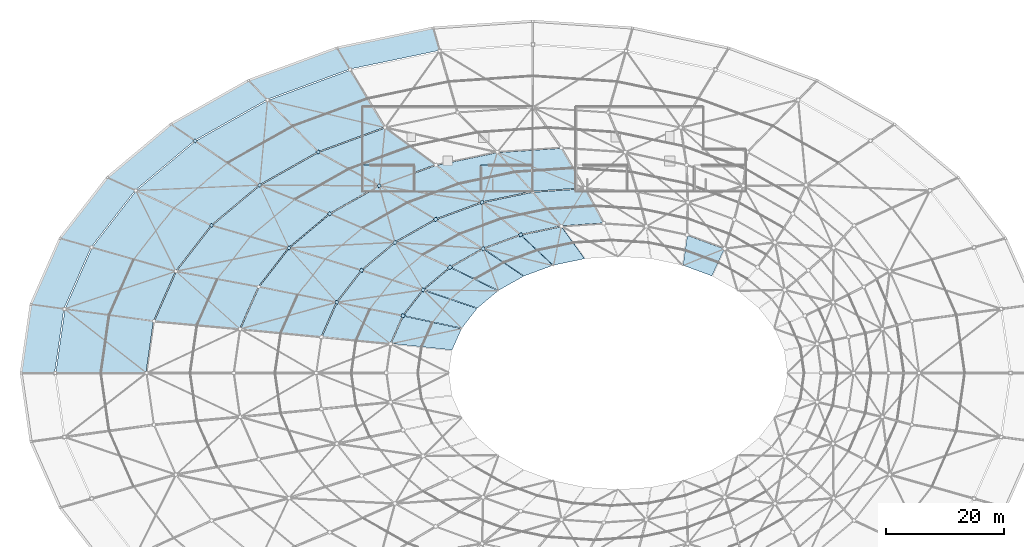
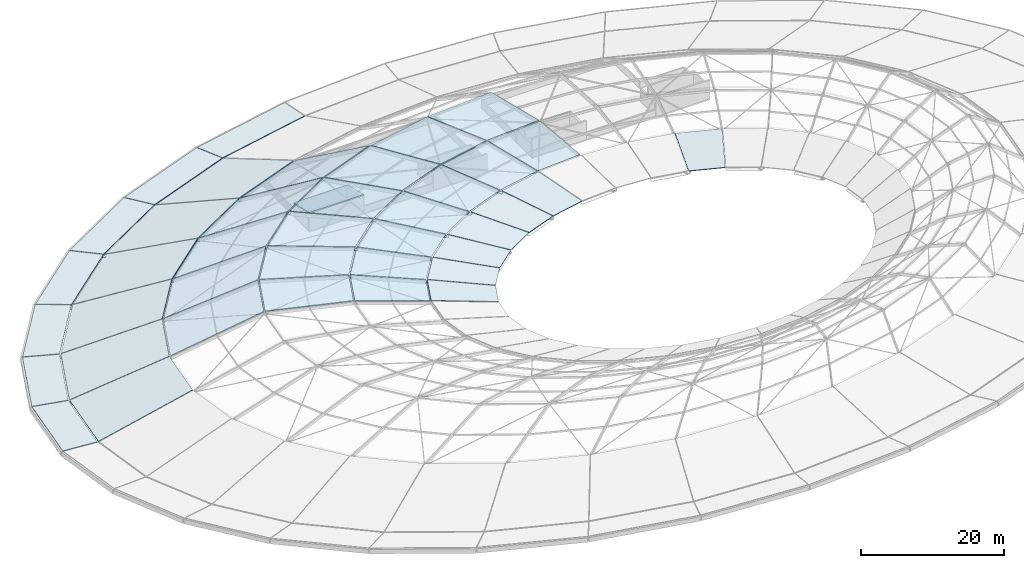
# One storey, part 14 of 30: 41 slabs, 17 plates.
"""IFC4 building model written with IfcOpenShell, lengths in metres."""

from ifc_helpers import new_model, si_unit, direction, frame, origin, origin_2d, place, context, subcontext, project, spatial, polyline, rectangle, outline, extrude, material, layer, layer_set, type_object, element, save


model = new_model("IFC4")

# Units and contexts
model_context = context("Model", 3, precision=1e-05, world=origin(), true_north=direction((0.0, 1.0)))
body_context = subcontext(model_context, "Body", "Model", "MODEL_VIEW")
ifc_project = project(units=[si_unit("LENGTHUNIT", "METRE"), si_unit("AREAUNIT", "SQUARE_METRE"), si_unit("VOLUMEUNIT", "CUBIC_METRE"), si_unit("PLANEANGLEUNIT", "RADIAN"), si_unit("MASSUNIT", "GRAM", prefix="KILO")], contexts=[model_context])

# Site, building, storey
site_placement = place(None, origin())
site = spatial("IfcSite", under=ifc_project, at=site_placement, CompositionType="ELEMENT")
building_placement = place(site_placement, origin())
building = spatial("IfcBuilding", under=site, at=building_placement, Name="Namkhue Oval Health Centre", CompositionType="ELEMENT")
storey_placement = place(building_placement, frame((0.0, 0.0, 26.39990234375)))
storey = spatial("IfcBuildingStorey", under=building, at=storey_placement, Name="RF", CompositionType="ELEMENT", Elevation=26.39990234375)

# Plates
ifc_material_1 = material(Name="Structural steel EN 10025-2 S355JR (TCVN 5575:2024)", Category="steel")
ifc_layer_1 = layer(ifc_material_1, 0.02001953125)
ifc_layer_set_1 = layer_set([ifc_layer_1], Name="Structural steel EN 10025-2 S355JR (TCVN 5575:2024)")
plate_type_1 = type_object("IfcPlateType", Name="GRIDSHELL GUSSET PLATE 500X500X20", PredefinedType="USERDEFINED", material=ifc_layer_set_1)
plate_placement = place(storey_placement, frame((29.37890625, 98.60205078125, 0.31005859375), z_axis=(0.0, 0.0, 1.0), x_axis=(-0.707106781187, 0.707106781187, 0.0)))
element("IfcPlate", 1, at=plate_placement, inside=storey, type_object=plate_type_1, Name="Gridshell Node Gusset Plate K1-13", ObjectType="GUSSET_PLATE", PredefinedType="USERDEFINED", context=body_context, shape_type="SweptSolid", body=[
    extrude(rectangle(XDim=0.5, YDim=0.5, at=origin_2d()), origin(), (0.0, 0.0, 1.0), 0.02001953125),
])
ifc_layer_2 = layer(ifc_material_1, 0.02197265625)
ifc_layer_set_2 = layer_set([ifc_layer_2], Name="Structural steel EN 10025-2 S355JR (TCVN 5575:2024)")
plate_type_2 = type_object("IfcPlateType", Name="GRIDSHELL GUSSET PLATE 520X520X22", PredefinedType="USERDEFINED", material=ifc_layer_set_2)
for number, where, z_axis, x_axis, name in (
    (2, (50.158935546875, 96.68896484375, 3.80908203125), (0.0, 0.0, 1.0), (-0.55557023302, 0.831469612303, 0.0), "Gridshell Node Gusset Plate K2-12"),
    (3, (40.27392578125, 91.111572265625, 3.80908203125), (0.0, 0.0, 1.0), (-0.707106781187, 0.707106781187, 0.0), "Gridshell Node Gusset Plate K2-13"),
    (4, (32.16162109375, 84.315673828125, 3.80908203125), (0.0, 0.0, 1.0), (-0.831469612303, 0.55557023302, 0.0), "Gridshell Node Gusset Plate K2-14"),
):
    element("IfcPlate", number, at=place(storey_placement, frame(where, z_axis=z_axis, x_axis=x_axis)), inside=storey, type_object=plate_type_2, Name=name, ObjectType="GUSSET_PLATE", PredefinedType="USERDEFINED", context=body_context, shape_type="SweptSolid", body=[
        extrude(rectangle(XDim=0.52001953125, YDim=0.52001953125, at=origin_2d()), origin(), (0.0, 0.0, 1.0), 0.02197265625),
    ])
ifc_layer_3 = layer(ifc_material_1, 0.02197265625)
ifc_layer_set_3 = layer_set([ifc_layer_3], Name="Structural steel EN 10025-2 S355JR (TCVN 5575:2024)")
plate_type_3 = type_object("IfcPlateType", Name="GRIDSHELL GUSSET PLATE 540X540X22", PredefinedType="USERDEFINED", material=ifc_layer_set_3)
for number, where, z_axis, x_axis, name in (
    (5, (60.479248046875, 91.009033203125, 7.209228515625), (0.0, 0.0, 1.0), (-0.55557023302, 0.831469612303, 0.0), "Gridshell Node Gusset Plate K3-12"),
    (6, (52.099853515625, 86.28125, 7.209228515625), (0.0, 0.0, 1.0), (-0.707106781187, 0.707106781187, 0.0), "Gridshell Node Gusset Plate K3-13"),
    (7, (45.22314453125, 80.5205078125, 7.209228515625), (0.0, 0.0, 1.0), (-0.831469612303, 0.55557023302, 0.0), "Gridshell Node Gusset Plate K3-14"),
):
    element("IfcPlate", number, at=place(storey_placement, frame(where, z_axis=z_axis, x_axis=x_axis)), inside=storey, type_object=plate_type_3, Name=name, ObjectType="GUSSET_PLATE", PredefinedType="USERDEFINED", context=body_context, shape_type="SweptSolid", body=[
        extrude(rectangle(XDim=0.5400390625, YDim=0.5400390625, at=origin_2d()), origin(), (0.0, 0.0, 1.0), 0.02197265625),
    ])
ifc_layer_4 = layer(ifc_material_1, 0.02392578125)
ifc_layer_set_4 = layer_set([ifc_layer_4], Name="Structural steel EN 10025-2 S355JR (TCVN 5575:2024)")
plate_type_4 = type_object("IfcPlateType", Name="GRIDSHELL GUSSET PLATE 560X560X24", PredefinedType="USERDEFINED", material=ifc_layer_set_4)
for number, where, z_axis, x_axis, name in (
    (8, (77.841552734375, 88.211181640625, 5.008056640625), (0.0, 0.0, 1.0), (-0.382683432365, 0.923879532511, 0.0), "Gridshell Node Gusset Plate K4-11"),
    (9, (69.999267578125, 85.329345703125, 5.008056640625), (0.0, 0.0, 1.0), (-0.55557023302, 0.831469612303, 0.0), "Gridshell Node Gusset Plate K4-12"),
    (10, (63.125732421875, 81.451171875, 5.008056640625), (0.0, 0.0, 1.0), (-0.707106781187, 0.707106781187, 0.0), "Gridshell Node Gusset Plate K4-13"),
    (11, (57.484619140625, 76.725341796875, 5.008056640625), (0.0, 0.0, 1.0), (-0.831469612303, 0.55557023302, 0.0), "Gridshell Node Gusset Plate K4-14"),
    (12, (53.292724609375, 71.333984375, 5.008056640625), (0.0, 0.0, 1.0), (-0.923879532511, 0.382683432365, 0.0), "Gridshell Node Gusset Plate K4-15"),
):
    element("IfcPlate", number, at=place(storey_placement, frame(where, z_axis=z_axis, x_axis=x_axis)), inside=storey, type_object=plate_type_4, Name=name, ObjectType="GUSSET_PLATE", PredefinedType="USERDEFINED", context=body_context, shape_type="SweptSolid", body=[
        extrude(rectangle(XDim=0.56005859375, YDim=0.56005859375, at=origin_2d()), origin(), (0.0, 0.0, 1.0), 0.02392578125),
    ])
ifc_layer_5 = layer(ifc_material_1, 0.02392578125)
ifc_layer_set_5 = layer_set([ifc_layer_5], Name="Structural steel EN 10025-2 S355JR (TCVN 5575:2024)")
plate_type_5 = type_object("IfcPlateType", Name="GRIDSHELL GUSSET PLATE 580X580X24", PredefinedType="USERDEFINED", material=ifc_layer_set_5)
for number, where, z_axis, x_axis, name in (
    (13, (84.347900390625, 82.723388671875, 1.608154296875), (0.0, 0.0, 1.0), (-0.382683432365, 0.923879532511, 0.0), "Gridshell Node Gusset Plate K5-11"),
    (14, (77.99951171875, 80.390380859375, 1.608154296875), (0.0, 0.0, 1.0), (-0.55557023302, 0.831469612303, 0.0), "Gridshell Node Gusset Plate K5-12"),
    (15, (72.43505859375, 77.2509765625, 1.608154296875), (0.0, 0.0, 1.0), (-0.707106781187, 0.707106781187, 0.0), "Gridshell Node Gusset Plate K5-13"),
    (16, (67.868408203125, 73.42529296875, 1.608154296875), (0.0, 0.0, 1.0), (-0.831469612303, 0.55557023302, 0.0), "Gridshell Node Gusset Plate K5-14"),
    (17, (64.47509765625, 69.060791015625, 1.608154296875), (0.0, 0.0, 1.0), (-0.923879532511, 0.382683432365, 0.0), "Gridshell Node Gusset Plate K5-15"),
):
    element("IfcPlate", number, at=place(storey_placement, frame(where, z_axis=z_axis, x_axis=x_axis)), inside=storey, type_object=plate_type_5, Name=name, ObjectType="GUSSET_PLATE", PredefinedType="USERDEFINED", context=body_context, shape_type="SweptSolid", body=[
        extrude(rectangle(XDim=0.580078125, YDim=0.580078125, at=origin_2d()), origin(), (0.0, 0.0, 1.0), 0.02392578125),
    ])

# Slabs
ifc_material_2 = material(Name="Reinforced concrete C30/37 (TCVN B35)", Category="concrete")
ifc_layer_6 = layer(ifc_material_2, 0.159912109375)
ifc_layer_set_6 = layer_set([ifc_layer_6], Name="Reinforced concrete C30/37 (TCVN B35)")
slab_type_1 = type_object("IfcSlabType", Name="GRIDSHELL ROOF PANEL 160", PredefinedType="ROOF", material=ifc_layer_set_6)
slab_1_placement = place(storey_placement, frame((69.52783203125, 117.563720703125, 1.09326171875), z_axis=(0.020162594612, -0.096678667987, 0.995111403278), x_axis=(-0.978938643116, -0.204154679137, 5.43225e-07)))
element("IfcSlab", 18, at=slab_1_placement, inside=storey, type_object=slab_type_1, Name="Gridshell Planar Roof Panel K0-10", PredefinedType="ROOF", context=body_context, shape_type="SweptSolid", body=[
    extrude(outline(polyline([(0.0, 0.0), (16.44548514449708, 0.0), (15.097387117249104, 3.8713768096491217), (-0.29370035746893247, 3.871201691914163), (0.0, 0.0)])), origin(), (0.0, 0.0, -1.0), 0.159912109375),
])
slab_2_placement = place(storey_placement, frame((53.343017578125, 114.185546875, 1.093505859375), z_axis=(0.032737529904, -0.089086259011, 0.995485757101), x_axis=(-0.938630551173, -0.344924177762, 4.43099e-07)))
element("IfcSlab", 19, at=slab_2_placement, inside=storey, type_object=slab_type_1, Name="Gridshell Planar Roof Panel K0-11", PredefinedType="ROOF", context=body_context, shape_type="SweptSolid", body=[
    extrude(outline(polyline([(0.0, 0.0), (15.802557697563413, 0.0), (14.01454935741236, 4.03344721094813), (-0.7726189498460142, 4.033304400568944), (0.0, 0.0)])), origin(), (0.0, 0.0, -1.0), 0.159912109375),
])
slab_3_placement = place(storey_placement, frame((38.425537109375, 108.701416015625, 1.093994140625), z_axis=(0.044082287911, -0.078130329397, 0.995968073545), x_axis=(-0.870939486541, -0.491390283566, 5.22588e-07)))
element("IfcSlab", 20, at=slab_3_placement, inside=storey, type_object=slab_type_1, Name="Gridshell Planar Roof Panel K0-12", PredefinedType="ROOF", context=body_context, shape_type="SweptSolid", body=[
    extrude(outline(polyline([(0.0, 0.0), (14.92248530113261, -8.881784197001252e-16), (12.838955464622689, 4.278259172458241), (-1.1218517171195217, 4.278090915361625), (0.0, 0.0)])), origin(), (0.0, 0.0, -1.0), 0.159912109375),
])
slab_4_placement = place(storey_placement, frame((25.349365234375, 101.321533203125, 1.094482421875), z_axis=(0.05372819728, -0.064135721203, 0.996493798316), x_axis=(-0.766561354027, -0.642171075736, -1.45933e-07)))
element("IfcSlab", 21, at=slab_4_placement, inside=storey, type_object=slab_type_1, Name="Gridshell Planar Roof Panel K0-13", PredefinedType="ROOF", context=body_context, shape_type="SweptSolid", body=[
    extrude(outline(polyline([(0.0, 0.0), (13.90964690520945, -1.7763568394002505e-15), (11.736249092087501, 4.598772252299587), (-1.2739480990193477, 4.598819206378967), (0.0, 0.0)])), origin(), (0.0, 0.0, -1.0), 0.159912109375),
])
slab_5_placement = place(storey_placement, frame((14.618408203125, 92.328369140625, 1.09521484375), z_axis=(0.061391664695, -0.047729981832, 0.996971871389), x_axis=(-0.613788661898, -0.789470378498, 1.01209e-07)))
element("IfcSlab", 22, at=slab_5_placement, inside=storey, type_object=slab_type_1, Name="Gridshell Planar Roof Panel K0-14", PredefinedType="ROOF", context=body_context, shape_type="SweptSolid", body=[
    extrude(outline(polyline([(0.0, 0.0), (12.904530024973466, 8.881784197001252e-16), (10.907092694096388, 4.966776759717428), (-1.1605920699277577, 4.966744258287321), (0.0, 0.0)])), origin(), (0.0, 0.0, -1.0), 0.159912109375),
])
slab_6_placement = place(storey_placement, frame((6.646728515625, 82.06787109375, 1.095458984375), z_axis=(0.066566031879, -0.029370607808, 0.997349653229), x_axis=(-0.403673069151, -0.914903302673, -3.52629e-07)))
element("IfcSlab", 23, at=slab_6_placement, inside=storey, type_object=slab_type_1, Name="Gridshell Planar Roof Panel K0-15", PredefinedType="ROOF", context=body_context, shape_type="SweptSolid", body=[
    extrude(outline(polyline([(0.0, 0.0), (12.080233983210906, 0.0), (10.558141437876515, 5.315114792337824), (-0.7368073735753968, 5.315228083295601), (0.0, 0.0)])), origin(), (0.0, 0.0, -1.0), 0.159912109375),
])
slab_7_placement = place(storey_placement, frame((1.7431640625, 70.9345703125, 1.095703125), z_axis=(0.069239029884, -0.009919525059, 0.997550780544), x_axis=(-0.141815844047, -0.989893058051, -7.7722e-08)))
element("IfcSlab", 24, at=slab_7_placement, inside=storey, type_object=slab_type_1, Name="Gridshell Planar Roof Panel K0-16", PredefinedType="ROOF", context=body_context, shape_type="SweptSolid", body=[
    extrude(outline(polyline([(0.0, 0.0), (11.610017545639138, -2.220446049250313e-16), (10.818881824643192, 5.53578898602103), (-0.035208138363513414, 5.535813947353545), (0.0, 0.0)])), origin(), (0.0, 0.0, -1.0), 0.159912109375),
])
ifc_layer_7 = layer(ifc_material_2, 0.1650390625)
ifc_layer_set_7 = layer_set([ifc_layer_7], Name="Reinforced concrete C30/37 (TCVN B35)")
slab_type_2 = type_object("IfcSlabType", Name="GRIDSHELL ROOF PANEL 165", PredefinedType="ROOF", material=ifc_layer_set_7)
slab_8_placement = place(storey_placement, frame((55.54541015625, 110.5302734375, 0.73388671875), z_axis=(-0.102713755445, 0.279511611509, 0.954632465127), x_axis=(-0.938630095364, -0.344925418136, 4.58192e-07)))
element("IfcSlab", 25, at=slab_8_placement, inside=storey, type_object=slab_type_2, Name="Gridshell Planar Roof Panel K1-11", PredefinedType="ROOF", context=body_context, shape_type="SweptSolid", body=[
    extrude(outline(polyline([(0.0, 0.0), (14.742906242601475, -8.881784197001252e-16), (9.822723864490262, 11.57300097652242), (-2.1258785047471886, 11.573042045665701), (0.0, 0.0)])), origin(), (0.0, 0.0, -1.0), 0.1650390625),
])
slab_9_placement = place(storey_placement, frame((41.623291015625, 105.411376953125, 0.732421875), z_axis=(-0.138902229904, 0.246186978016, 0.959217463552), x_axis=(-0.870933882216, -0.49140021653, 1.747221e-06)))
element("IfcSlab", 26, at=slab_9_placement, inside=storey, type_object=slab_type_2, Name="Gridshell Planar Roof Panel K1-12", PredefinedType="ROOF", context=body_context, shape_type="SweptSolid", body=[
    extrude(outline(polyline([(0.0, 0.0), (13.921561245083678, -8.881784197001252e-16), (8.197918543198739, 12.202266242107779), (-3.0818098753451957, 12.202422015070987), (0.0, 0.0)])), origin(), (0.0, 0.0, -1.0), 0.1650390625),
])
slab_10_placement = place(storey_placement, frame((29.419921875, 98.52294921875, 0.73095703125), z_axis=(-0.170139988706, 0.203104869723, 0.964261788177), x_axis=(-0.766576159273, -0.642153402259, -8.04733e-07)))
element("IfcSlab", 27, at=slab_10_placement, inside=storey, type_object=slab_type_2, Name="Gridshell Planar Roof Panel K1-13", PredefinedType="ROOF", context=body_context, shape_type="SweptSolid", body=[
    extrude(outline(polyline([(0.0, 0.0), (12.975905292085145, 1.7763568394002505e-15), (7.016551791545524, 13.030311296661807), (-3.4937291258459657, 13.03023996240794), (0.0, 0.0)])), origin(), (0.0, 0.0, -1.0), 0.1650390625),
])
slab_11_placement = place(storey_placement, frame((19.4052734375, 90.12939453125, 0.729248046875), z_axis=(-0.195064944908, 0.151653801848, 0.968994732521), x_axis=(-0.613781870865, -0.789475658268, -3.52719e-07)))
element("IfcSlab", 28, at=slab_11_placement, inside=storey, type_object=slab_type_2, Name="Gridshell Planar Roof Panel K1-14", PredefinedType="ROOF", context=body_context, shape_type="SweptSolid", body=[
    extrude(outline(polyline([(0.0, 0.0), (12.037942746398443, -1.7763568394002505e-15), (6.571366158357308, 13.985548906937979), (-3.176290275157395, 13.985517807089472), (0.0, 0.0)])), origin(), (0.0, 0.0, -1.0), 0.1650390625),
])
slab_12_placement = place(storey_placement, frame((11.96630859375, 80.552978515625, 0.72802734375), z_axis=(-0.212455276554, 0.093744007114, 0.972663773662), x_axis=(-0.40369434951, -0.91489391307, -1.206145e-06)))
element("IfcSlab", 29, at=slab_12_placement, inside=storey, type_object=slab_type_2, Name="Gridshell Planar Roof Panel K1-15", PredefinedType="ROOF", context=body_context, shape_type="SweptSolid", body=[
    extrude(outline(polyline([(0.0, 0.0), (11.26859789441724, 0.0), (7.108980996924874, 14.892303975045468), (-2.0135504679712137, 14.892198063103379), (0.0, 0.0)])), origin(), (0.0, 0.0, -1.0), 0.1650390625),
])
slab_13_placement = place(storey_placement, frame((7.390380859375, 70.162353515625, 0.727294921875), z_axis=(-0.221398563448, 0.031715542749, 0.974667533291), x_axis=(-0.141797236863, -0.989895723607, 1.41135e-06)))
element("IfcSlab", 30, at=slab_13_placement, inside=storey, type_object=slab_type_2, Name="Gridshell Planar Roof Panel K1-16", PredefinedType="ROOF", context=body_context, shape_type="SweptSolid", body=[
    extrude(outline(polyline([(0.0, 0.0), (10.829886655075333, 0.0), (8.670218534604265, 15.46868090951535), (-0.09611084283821034, 15.468804567254889), (0.0, 0.0)])), origin(), (0.0, 0.0, -1.0), 0.1650390625),
])
ifc_layer_8 = layer(ifc_material_2, 0.169921875)
ifc_layer_set_8 = layer_set([ifc_layer_8], Name="Reinforced concrete C30/37 (TCVN B35)")
slab_type_3 = type_object("IfcSlabType", Name="GRIDSHELL ROOF PANEL 170", PredefinedType="ROOF", material=ifc_layer_set_8)
slab_14_placement = place(storey_placement, frame((61.4716796875, 100.756591796875, 4.244140625), z_axis=(-0.12320577154, 0.335264184745, 0.934033331465), x_axis=(-0.938626054315, -0.344936414664, 7.26571e-07)))
element("IfcSlab", 31, at=slab_14_placement, inside=storey, type_object=slab_type_3, Name="Gridshell Planar Roof Panel K2-11", PredefinedType="ROOF", context=body_context, shape_type="SweptSolid", body=[
    extrude(outline(polyline([(0.0, 0.0), (11.894308419477884, 0.0), (4.312799369403991, 9.338808270164728), (-5.7859916338296715, 9.338853007520287), (0.0, 0.0)])), origin(), (0.0, 0.0, -1.0), 0.169921875),
])
slab_15_placement = place(storey_placement, frame((50.204345703125, 96.61669921875, 4.240966796875), z_axis=(-0.157933031386, 0.279910541406, 0.946946274298), x_axis=(-0.870927065182, -0.491412298504, 3.517631e-06)))
element("IfcSlab", 32, at=slab_15_placement, inside=storey, type_object=slab_type_3, Name="Gridshell Planar Roof Panel K2-12", PredefinedType="ROOF", context=body_context, shape_type="SweptSolid", body=[
    extrude(outline(polyline([(0.0, 0.0), (11.233939704820223, -8.881784197001252e-16), (3.4430982146087024, 10.399369248415969), (-6.091669025550712, 10.399596561665188), (0.0, 0.0)])), origin(), (0.0, 0.0, -1.0), 0.169921875),
])
slab_16_placement = place(storey_placement, frame((40.328125, 91.04443359375, 4.238037109375), z_axis=(-0.185072944318, 0.220926693104, 0.957569528314), x_axis=(-0.766569639392, -0.642161185343, -7.86438e-07)))
element("IfcSlab", 33, at=slab_16_placement, inside=storey, type_object=slab_type_3, Name="Gridshell Planar Roof Panel K2-13", PredefinedType="ROOF", context=body_context, shape_type="SweptSolid", body=[
    extrude(outline(polyline([(0.0, 0.0), (10.473363995422202, 0.0), (3.013648255163925, 11.617347404433431), (-5.872753508638597, 11.617294576059944), (0.0, 0.0)])), origin(), (0.0, 0.0, -1.0), 0.169921875),
])
slab_17_placement = place(storey_placement, frame((32.223876953125, 84.254150390625, 4.235595703125), z_axis=(-0.205038848243, 0.159413865656, 0.965684363624), x_axis=(-0.61379940396, -0.78946202676, -1.583711e-06)))
element("IfcSlab", 34, at=slab_17_placement, inside=storey, type_object=slab_type_3, Name="Gridshell Planar Roof Panel K2-14", PredefinedType="ROOF", context=body_context, shape_type="SweptSolid", body=[
    extrude(outline(polyline([(0.0, 0.0), (9.71909204413393, 8.881784197001252e-16), (3.2915992982035744, 12.910255884952448), (-4.951975383048748, 12.910146352214433), (0.0, 0.0)])), origin(), (0.0, 0.0, -1.0), 0.169921875),
])
slab_18_placement = place(storey_placement, frame((26.204345703125, 76.50634765625, 4.233642578125), z_axis=(-0.218181281084, 0.096268158125, 0.971148480056), x_axis=(-0.403682414671, -0.914899179191, -2.96076e-07)))
element("IfcSlab", 35, at=slab_18_placement, inside=storey, type_object=slab_type_3, Name="Gridshell Planar Roof Panel K2-15", PredefinedType="ROOF", context=body_context, shape_type="SweptSolid", body=[
    extrude(outline(polyline([(0.0, 0.0), (9.099577056047469, 0.0), (4.505770796915734, 14.076636770521), (-3.2107144309817865, 14.076615892799088), (0.0, 0.0)])), origin(), (0.0, 0.0, -1.0), 0.169921875),
])
ifc_layer_9 = layer(ifc_material_2, 0.175048828125)
ifc_layer_set_9 = layer_set([ifc_layer_9], Name="Reinforced concrete C30/37 (TCVN B35)")
slab_type_4 = type_object("IfcSlabType", Name="GRIDSHELL ROOF PANEL 175", PredefinedType="ROOF", material=ifc_layer_set_9)
slab_19_placement = place(storey_placement, frame((91.2021484375, 97.330078125, 7.59033203125), z_axis=(0.020032232495, -0.295824655907, 0.95503218931), x_axis=(-0.997715556857, -0.067554922842, 2.155105e-06)))
element("IfcSlab", 36, at=slab_19_placement, inside=storey, type_object=slab_type_4, Name="Gridshell Planar Roof Panel K3-9", PredefinedType="ROOF", context=body_context, shape_type="SweptSolid", body=[
    extrude(outline(polyline([(0.0, 0.0), (10.690192137254291, 0.0), (5.3506213840365, 7.239394380992895), (-3.4436481667676104, 7.239252759578612), (0.0, 0.0)])), origin(), (0.0, 0.0, -1.0), 0.175048828125),
])
slab_20_placement = place(storey_placement, frame((80.431640625, 96.60107421875, 7.592529296875), z_axis=(0.055610028677, -0.266652874974, 0.962186971944), x_axis=(-0.978940117698, -0.204147608253, 2.433371e-06)))
element("IfcSlab", 37, at=slab_20_placement, inside=storey, type_object=slab_type_4, Name="Gridshell Planar Roof Panel K3-10", PredefinedType="ROOF", context=body_context, shape_type="SweptSolid", body=[
    extrude(outline(polyline([(0.0, 0.0), (10.473748260753048, -4.440892098500626e-16), (4.265653118030262, 7.896363528223124), (-4.346415050667718, 7.896193026740707), (0.0, 0.0)])), origin(), (0.0, 0.0, -1.0), 0.175048828125),
])
slab_21_placement = place(storey_placement, frame((70.072509765625, 94.441650390625, 7.5947265625), z_axis=(0.085339065479, -0.23222332359, 0.968911539762), x_axis=(-0.938623822957, -0.344942486469, -2.48812e-06)))
element("IfcSlab", 38, at=slab_21_placement, inside=storey, type_object=slab_type_4, Name="Gridshell Planar Roof Panel K3-11", PredefinedType="ROOF", context=body_context, shape_type="SweptSolid", body=[
    extrude(outline(polyline([(0.0, 0.0), (10.064500088644266, -4.440892098500626e-16), (3.2290930825785455, 8.711401874306365), (-5.042433795041556, 8.711586275548926), (0.0, 0.0)])), origin(), (0.0, 0.0, -1.0), 0.175048828125),
])
slab_22_placement = place(storey_placement, frame((60.524169921875, 90.933837890625, 7.59716796875), z_axis=(0.109496423861, -0.194068876245, 0.974857838064), x_axis=(-0.870936223107, -0.491396067627, -2.88036e-07)))
element("IfcSlab", 39, at=slab_22_placement, inside=storey, type_object=slab_type_4, Name="Gridshell Planar Roof Panel K3-12", PredefinedType="ROOF", context=body_context, shape_type="SweptSolid", body=[
    extrude(outline(polyline([(0.0, 0.0), (9.505362782028726, 8.881784197001252e-16), (2.4078136046569516, 9.69318967902931), (-5.399919751048516, 9.693212058634671), (0.0, 0.0)])), origin(), (0.0, 0.0, -1.0), 0.175048828125),
])
slab_23_placement = place(storey_placement, frame((52.154296875, 86.2119140625, 7.59912109375), z_axis=(0.12837354601, -0.153243160787, 0.979814659187), x_axis=(-0.766574467226, -0.642155422147, 1.996329e-06)))
element("IfcSlab", 40, at=slab_23_placement, inside=storey, type_object=slab_type_4, Name="Gridshell Planar Roof Panel K3-13", PredefinedType="ROOF", context=body_context, shape_type="SweptSolid", body=[
    extrude(outline(polyline([(0.0, 0.0), (8.86145667859026, -8.881784197001252e-16), (2.013036032761358, 10.825308827277835), (-5.2628341266217395, 10.825147676166356), (0.0, 0.0)])), origin(), (0.0, 0.0, -1.0), 0.175048828125),
])
slab_24_placement = place(storey_placement, frame((45.285888671875, 80.457275390625, 7.600830078125), z_axis=(0.142248209261, -0.110594074783, 0.983633263765), x_axis=(-0.613786563854, -0.789472009657, -9.01655e-07)))
element("IfcSlab", 41, at=slab_24_placement, inside=storey, type_object=slab_type_4, Name="Gridshell Planar Roof Panel K3-14", PredefinedType="ROOF", context=body_context, shape_type="SweptSolid", body=[
    extrude(outline(polyline([(0.0, 0.0), (8.222526150574595, 0.0), (2.285723891911975, 12.029374534892845), (-4.4629978599557845, 12.029449452997195), (0.0, 0.0)])), origin(), (0.0, 0.0, -1.0), 0.175048828125),
])
slab_25_placement = place(storey_placement, frame((40.18505859375, 73.89111328125, 7.602294921875), z_axis=(0.151387928709, -0.066795743945, 0.986214998685), x_axis=(-0.403679898572, -0.914900289369, 8.2968e-07)))
element("IfcSlab", 42, at=slab_25_placement, inside=storey, type_object=slab_type_4, Name="Gridshell Planar Roof Panel K3-15", PredefinedType="ROOF", context=body_context, shape_type="SweptSolid", body=[
    extrude(outline(polyline([(0.0, 0.0), (7.698339813706251, 4.440892098500626e-16), (3.4276260626075574, 13.116738113299977), (-2.888935853981562, 13.116667841018804), (0.0, 0.0)])), origin(), (0.0, 0.0, -1.0), 0.175048828125),
])
ifc_layer_10 = layer(ifc_material_2, 0.179931640625)
ifc_layer_set_10 = layer_set([ifc_layer_10], Name="Reinforced concrete C30/37 (TCVN B35)")
slab_type_5 = type_object("IfcSlabType", Name="GRIDSHELL ROOF PANEL 180", PredefinedType="ROOF", material=ifc_layer_set_10)
slab_26_placement = place(storey_placement, frame((95.196044921875, 90.505859375, 5.37841796875), z_axis=(0.032710932049, -0.483157164741, 0.874922367461), x_axis=(-0.997715629715, -0.067553846749, -3.33389e-06)))
element("IfcSlab", 43, at=slab_26_placement, inside=storey, type_object=slab_type_5, Name="Gridshell Planar Roof Panel K4-9", PredefinedType="ROOF", context=body_context, shape_type="SweptSolid", body=[
    extrude(outline(polyline([(0.0, 0.0), (8.752906125914102, 0.0), (4.387007781220381, 6.8407623919330565), (-2.7197954161749927, 6.840871577450097), (0.0, 0.0)])), origin(), (0.0, 0.0, -1.0), 0.179931640625),
])
slab_27_placement = place(storey_placement, frame((86.36376953125, 89.906494140625, 5.38134765625), z_axis=(0.092378734516, -0.44297555465, 0.8917616427), x_axis=(-0.97894099406, -0.204143405818, 3.130631e-06)))
element("IfcSlab", 44, at=slab_27_placement, inside=storey, type_object=slab_type_5, Name="Gridshell Planar Roof Panel K4-10", PredefinedType="ROOF", context=body_context, shape_type="SweptSolid", body=[
    extrude(outline(polyline([(0.0, 0.0), (8.574862406855674, 2.220446049250313e-16), (3.4514860961855147, 7.333866143287061), (-3.5070886339701763, 7.333758676149511), (0.0, 0.0)])), origin(), (0.0, 0.0, -1.0), 0.179931640625),
])
slab_28_placement = place(storey_placement, frame((77.869140625, 88.13427734375, 5.384521484375), z_axis=(0.144093890971, -0.392097242144, 0.908568491248), x_axis=(-0.938625044445, -0.344939162666, 4.84749e-07)))
element("IfcSlab", 45, at=slab_28_placement, inside=storey, type_object=slab_type_5, Name="Gridshell Planar Roof Panel K4-11", PredefinedType="ROOF", context=body_context, shape_type="SweptSolid", body=[
    extrude(outline(polyline([(0.0, 0.0), (8.238550173627326, 4.440892098500626e-16), (2.5613721926368385, 7.959460211008238), (-4.12071961071208, 7.959442896795262), (0.0, 0.0)])), origin(), (0.0, 0.0, -1.0), 0.179931640625),
])
slab_29_placement = place(storey_placement, frame((70.0390625, 85.25634765625, 5.3876953125), z_axis=(0.187574327561, -0.33244805514, 0.924280348311), x_axis=(-0.870930821092, -0.491405641873, -2.798726e-06)))
element("IfcSlab", 46, at=slab_29_placement, inside=storey, type_object=slab_type_5, Name="Gridshell Planar Roof Panel K4-12", PredefinedType="ROOF", context=body_context, shape_type="SweptSolid", body=[
    extrude(outline(polyline([(0.0, 0.0), (7.77920672767691, 0.0), (1.8574111420361454, 8.727190143438532), (-4.448922474759537, 8.727293418481999), (0.0, 0.0)])), origin(), (0.0, 0.0, -1.0), 0.179931640625),
])
slab_30_placement = place(storey_placement, frame((63.17578125, 81.383056640625, 5.390869140625), z_axis=(0.222655646675, -0.265786069109, 0.937967072168), x_axis=(-0.766555549331, -0.64217800474, -4.313584e-06)))
element("IfcSlab", 47, at=slab_30_placement, inside=storey, type_object=slab_type_5, Name="Gridshell Planar Roof Panel K4-13", PredefinedType="ROOF", context=body_context, shape_type="SweptSolid", body=[
    extrude(outline(polyline([(0.0, 0.0), (7.25108185449607, -4.440892098500626e-16), (1.5178441044431183, 9.62620590058539), (-4.357211297351044, 9.626369202337571), (0.0, 0.0)])), origin(), (0.0, 0.0, -1.0), 0.179931640625),
])
slab_31_placement = place(storey_placement, frame((57.5439453125, 76.662841796875, 5.393798828125), z_axis=(0.249144348708, -0.193700191967, 0.948897955072), x_axis=(-0.6137712886, -0.789483885368, -5.830128e-06)))
element("IfcSlab", 48, at=slab_31_placement, inside=storey, type_object=slab_type_5, Name="Gridshell Planar Roof Panel K4-14", PredefinedType="ROOF", context=body_context, shape_type="SweptSolid", body=[
    extrude(outline(polyline([(0.0, 0.0), (6.72752337165045, -4.440892098500626e-16), (1.743487063938662, 10.593887715334194), (-3.704893356877349, 10.594112654762412), (0.0, 0.0)])), origin(), (0.0, 0.0, -1.0), 0.179931640625),
])
slab_32_placement = place(storey_placement, frame((53.36181640625, 71.277099609375, 5.395751953125), z_axis=(0.266882343959, -0.117756178926, 0.956507865523), x_axis=(-0.403667193314, -0.914905895173, -4.365423e-06)))
element("IfcSlab", 49, at=slab_32_placement, inside=storey, type_object=slab_type_5, Name="Gridshell Planar Roof Panel K4-15", PredefinedType="ROOF", context=body_context, shape_type="SweptSolid", body=[
    extrude(outline(polyline([(0.0, 0.0), (6.297871219717972, 0.0), (2.702063352441863, 11.475232468487066), (-2.396673231031634, 11.475403020076978), (0.0, 0.0)])), origin(), (0.0, 0.0, -1.0), 0.179931640625),
])
ifc_layer_11 = layer(ifc_material_2, 0.18505859375)
ifc_layer_set_11 = layer_set([ifc_layer_11], Name="Reinforced concrete C30/37 (TCVN B35)")
slab_type_6 = type_object("IfcSlabType", Name="GRIDSHELL ROOF PANEL 185", PredefinedType="ROOF", material=ifc_layer_set_11)
slab_33_placement = place(storey_placement, frame((118.72900390625, 80.335205078125, 1.9794921875), z_axis=(-0.182061751802, -0.4954560084, 0.849339073792), x_axis=(-0.938632315303, 0.344919377033, 3.925573e-06)))
element("IfcSlab", 50, at=slab_33_placement, inside=storey, type_object=slab_type_6, Name="Gridshell Planar Roof Panel K5-6", PredefinedType="ROOF", context=body_context, shape_type="SweptSolid", body=[
    extrude(outline(polyline([(0.0, 0.0), (6.656289404918644, 0.0), (5.58634134608475, 5.88238371441053), (0.39706955027264773, 5.882295619652198), (0.0, 0.0)])), origin(), (0.0, 0.0, -1.0), 0.18505859375),
])
slab_34_placement = place(storey_placement, frame((91.243408203125, 84.07958984375, 1.986083984375), z_axis=(0.093226604943, -0.447007761028, 0.889658845689), x_axis=(-0.978938301872, -0.204156315383, 4.087963e-06)))
element("IfcSlab", 51, at=slab_34_placement, inside=storey, type_object=slab_type_6, Name="Gridshell Planar Roof Panel K5-10", PredefinedType="ROOF", context=body_context, shape_type="SweptSolid", body=[
    extrude(outline(polyline([(0.0, 0.0), (6.92165780849591, 0.0), (2.6736991710872084, 6.828196576741758), (-2.715463494583847, 6.828086363561005), (0.0, 0.0)])), origin(), (0.0, 0.0, -1.0), 0.18505859375),
])
slab_35_placement = place(storey_placement, frame((84.370849609375, 82.64501953125, 1.98876953125), z_axis=(0.146781275644, -0.399428205821, 0.904937768863), x_axis=(-0.938628352346, -0.34493016129, -1.954328e-06)))
element("IfcSlab", 52, at=slab_35_placement, inside=storey, type_object=slab_type_6, Name="Gridshell Planar Roof Panel K5-11", PredefinedType="ROOF", context=body_context, shape_type="SweptSolid", body=[
    extrude(outline(polyline([(0.0, 0.0), (6.649030885300509, -2.220446049250313e-16), (1.8521442727049302, 7.339518183532022), (-3.321296273447353, 7.339572478714024), (0.0, 0.0)])), origin(), (0.0, 0.0, -1.0), 0.18505859375),
])
slab_36_placement = place(storey_placement, frame((78.035888671875, 80.31591796875, 1.99169921875), z_axis=(0.19269763234, -0.341532485424, 0.919903899269), x_axis=(-0.870943150522, -0.491383789443, 5.605045e-06)))
element("IfcSlab", 53, at=slab_36_placement, inside=storey, type_object=slab_type_6, Name="Gridshell Planar Roof Panel K5-12", PredefinedType="ROOF", context=body_context, shape_type="SweptSolid", body=[
    extrude(outline(polyline([(0.0, 0.0), (6.2771417884429805, -4.440892098500626e-16), (1.2071400385779387, 7.9802376717066075), (-3.673559556448163, 7.9800781889154), (0.0, 0.0)])), origin(), (0.0, 0.0, -1.0), 0.18505859375),
])
slab_37_placement = place(storey_placement, frame((72.48291015625, 77.181396484375, 1.994873046875), z_axis=(0.230358929136, -0.274986653795, 0.933443680145), x_axis=(-0.76656977037, -0.642161028991, 5.12993e-07)))
element("IfcSlab", 54, at=slab_37_placement, inside=storey, type_object=slab_type_6, Name="Gridshell Planar Roof Panel K5-13", PredefinedType="ROOF", context=body_context, shape_type="SweptSolid", body=[
    extrude(outline(polyline([(0.0, 0.0), (5.849923167782908, 0.0), (0.8937994958497673, 8.740699406104671), (-3.651306044808486, 8.740684540689616), (0.0, 0.0)])), origin(), (0.0, 0.0, -1.0), 0.18505859375),
])
slab_38_placement = place(storey_placement, frame((67.926513671875, 73.361572265625, 1.99755859375), z_axis=(0.259179915108, -0.201505857524, 0.944574592601), x_axis=(-0.613788371942, -0.789470603929, -1.411112e-06)))
element("IfcSlab", 55, at=slab_38_placement, inside=storey, type_object=slab_type_6, Name="Gridshell Planar Roof Panel K5-14", PredefinedType="ROOF", context=body_context, shape_type="SweptSolid", body=[
    extrude(outline(polyline([(0.0, 0.0), (5.4266467080413126, 0.0), (1.0856290911033812, 9.567156543686364), (-3.1281893809375263, 9.567197981122431), (0.0, 0.0)])), origin(), (0.0, 0.0, -1.0), 0.18505859375),
])
slab_39_placement = place(storey_placement, frame((64.54345703125, 69.003173828125, 1.999755859375), z_axis=(0.278713324515, -0.122968549594, 0.952469221838), x_axis=(-0.403669847552, -0.91490472409, 3.840837e-06)))
element("IfcSlab", 56, at=slab_39_placement, inside=storey, type_object=slab_type_6, Name="Gridshell Planar Roof Panel K5-15", PredefinedType="ROOF", context=body_context, shape_type="SweptSolid", body=[
    extrude(outline(polyline([(0.0, 0.0), (5.0797239690846165, 2.220446049250313e-16), (1.9234774112954147, 10.32472560457958), (-2.018886470553408, 10.324611854060315), (0.0, 0.0)])), origin(), (0.0, 0.0, -1.0), 0.18505859375),
])
ifc_layer_12 = layer(ifc_material_2, 0.2099609375)
ifc_layer_set_12 = layer_set([ifc_layer_12], Name="Reinforced concrete C30/37 (TCVN B35)")
slab_type_7 = type_object("IfcSlabType", Name="PENTHOUSE ROOF SLAB 210", PredefinedType="ROOF", material=ifc_layer_set_12)
for number, where, z_axis, x_axis, name in (
    (57, (57.60009765625, 90.0, 3.2001953125), (0.0, 0.227239636822, 0.973838871404), (1.0, 0.0, 0.0), "Core SC-03 Roof Stair Head-House Roof Slab"),
    (58, (77.60009765625, 90.0, 3.2001953125), (0.0, 0.227239636822, 0.973838871404), (1.0, 0.0, 0.0), "Core SC-04 Roof Stair Head-House Roof Slab"),
):
    element("IfcSlab", number, at=place(storey_placement, frame(where, z_axis=z_axis, x_axis=x_axis)), inside=storey, type_object=slab_type_7, Name=name, PredefinedType="ROOF", context=body_context, shape_type="SweptSolid", body=[
        extrude(outline(polyline([(0.0, 0.0), (8.7998046875, 0.0), (8.7998046875, 4.620887635665543), (0.0, 4.620887635665543), (0.0, 0.0)])), origin(), (0.0, 0.0, -1.0), 0.2099609375),
    ])

save(model, "model.ifc")
